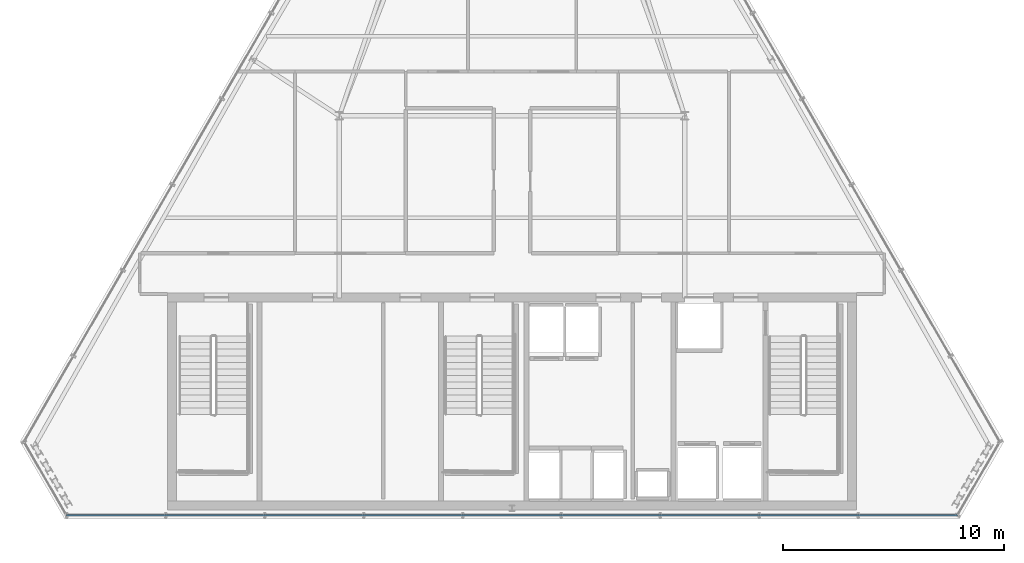
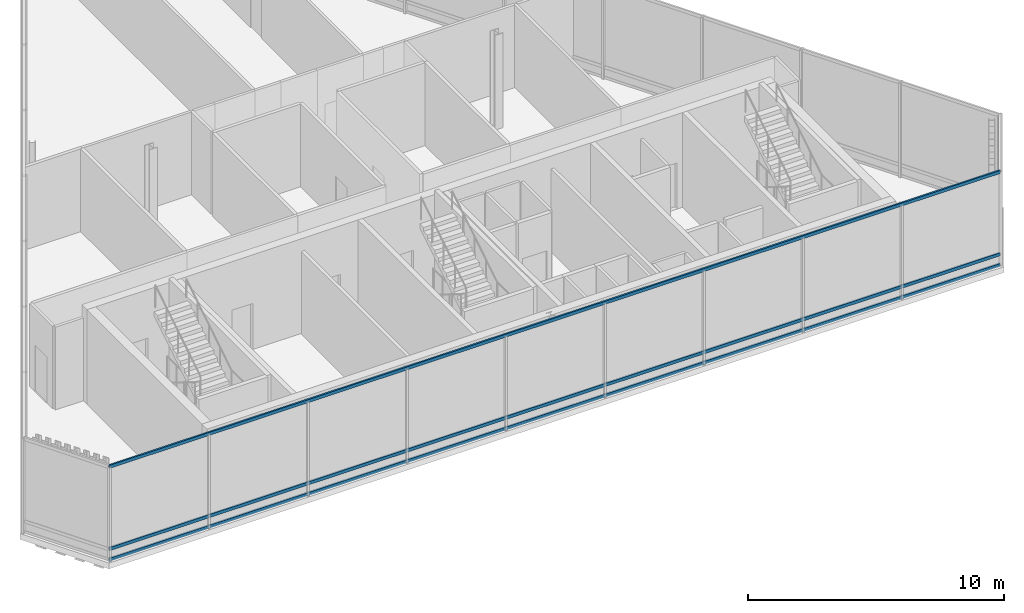
# One storey, part 6 of 25: 3 members, 1 element without a shape of its own.
"""IFC4 building model written with IfcOpenShell, lengths in metres."""

from ifc_helpers import new_model, si_unit, direction, frame, origin, origin_2d, place, context, subcontext, project, spatial, hollow_rectangle, extrude, material, layer, layer_set, material_profile, profile_set, type_object, element, aggregate, save


model = new_model("IFC4")

# Units and contexts
model_context = context("Model", 3, precision=1e-05, world=origin(), true_north=direction((0.0, 1.0)))
body_context = subcontext(model_context, "Body", "Model", "MODEL_VIEW")
ifc_project = project(units=[si_unit("LENGTHUNIT", "METRE"), si_unit("AREAUNIT", "SQUARE_METRE"), si_unit("VOLUMEUNIT", "CUBIC_METRE"), si_unit("PLANEANGLEUNIT", "RADIAN"), si_unit("MASSUNIT", "GRAM", prefix="KILO")], contexts=[model_context])

# Site, building, storey
site_placement = place(None, origin())
site = spatial("IfcSite", under=ifc_project, at=site_placement, CompositionType="ELEMENT")
building_placement = place(site_placement, origin())
building = spatial("IfcBuilding", under=site, at=building_placement, Name="Ndaravel Arena Tower", CompositionType="ELEMENT")
storey_placement = place(building_placement, frame((0.0, 0.0, 298.5)))
storey = spatial("IfcBuildingStorey", under=building, at=storey_placement, Name="L73", CompositionType="ELEMENT", Elevation=298.5)

# Curtain wall, members
ifc_material_1 = material(Name="Aluminium", Category="aluminium")
ifc_layer = layer(ifc_material_1, 0.179931640625)
ifc_layer_set = layer_set([ifc_layer], Name="Aluminium")
curtain_wall_type = type_object("IfcCurtainWallType", Name="CW-SYS-04", PredefinedType="NOTDEFINED", material=ifc_layer_set)
curtain_wall_placement = place(storey_placement, origin())
curtain_wall = element("IfcCurtainWall", 1, at=curtain_wall_placement, inside=storey, type_object=curtain_wall_type, Name="L73 Faceted Crystal Curtain Wall CW-L73-E01", PredefinedType="NOTDEFINED")
ifc_material_2 = material(Name="Aluminium", Category="aluminium")
ifc_material_profile = material_profile(ifc_material_2, hollow_rectangle(XDim=0.074951171875, YDim=0.14990234375, WallThickness=0.00390625, at=origin_2d()), Name="CW TRANSOM 75x150x4")
ifc_profile_set = profile_set([ifc_material_profile], Name="Aluminium")
member_type = type_object("IfcMemberType", Name="MEM-CW-TRN150", PredefinedType="USERDEFINED", material=ifc_profile_set)
member_1_placement = place(storey_placement, frame((21.885009765625, 5.159912109375, 0.0400390625), z_axis=(1.0, 0.0, 0.0), x_axis=(0.0, 1.0, 0.0)))
member_1 = element("IfcMember", 2, at=member_1_placement, type_object=member_type, Name="CW-L73-E01 Transom 01", ObjectType="TRANSOM", PredefinedType="USERDEFINED", context=body_context, shape_type="SweptSolid", body=[
    extrude(hollow_rectangle(XDim=0.074951171875, YDim=0.14990234375, WallThickness=0.00390625, at=origin_2d()), origin(), (0.0, 0.0, 1.0), 40.22998046875),
])
member_2_placement = place(storey_placement, frame((21.885009765625, 5.159912109375, 0.550048828125), z_axis=(1.0, 0.0, 0.0), x_axis=(0.0, 1.0, 0.0)))
member_2 = element("IfcMember", 3, at=member_2_placement, type_object=member_type, Name="CW-L73-E01 Transom 02", ObjectType="TRANSOM", PredefinedType="USERDEFINED", context=body_context, shape_type="SweptSolid", body=[
    extrude(hollow_rectangle(XDim=0.074951171875, YDim=0.14990234375, WallThickness=0.00390625, at=origin_2d()), origin(), (0.0, 0.0, 1.0), 40.22998046875),
])
member_3_placement = place(storey_placement, frame((21.885009765625, 5.159912109375, 4.47998046875), z_axis=(1.0, 0.0, 0.0), x_axis=(0.0, 1.0, 0.0)))
member_3 = element("IfcMember", 4, at=member_3_placement, type_object=member_type, Name="CW-L73-E01 Transom 03", ObjectType="TRANSOM", PredefinedType="USERDEFINED", context=body_context, shape_type="SweptSolid", body=[
    extrude(hollow_rectangle(XDim=0.074951171875, YDim=0.14990234375, WallThickness=0.00390625, at=origin_2d()), origin(), (0.0, 0.0, 1.0), 40.22998046875),
])
aggregate(curtain_wall, [member_1, member_2, member_3])

save(model, "model.ifc")
